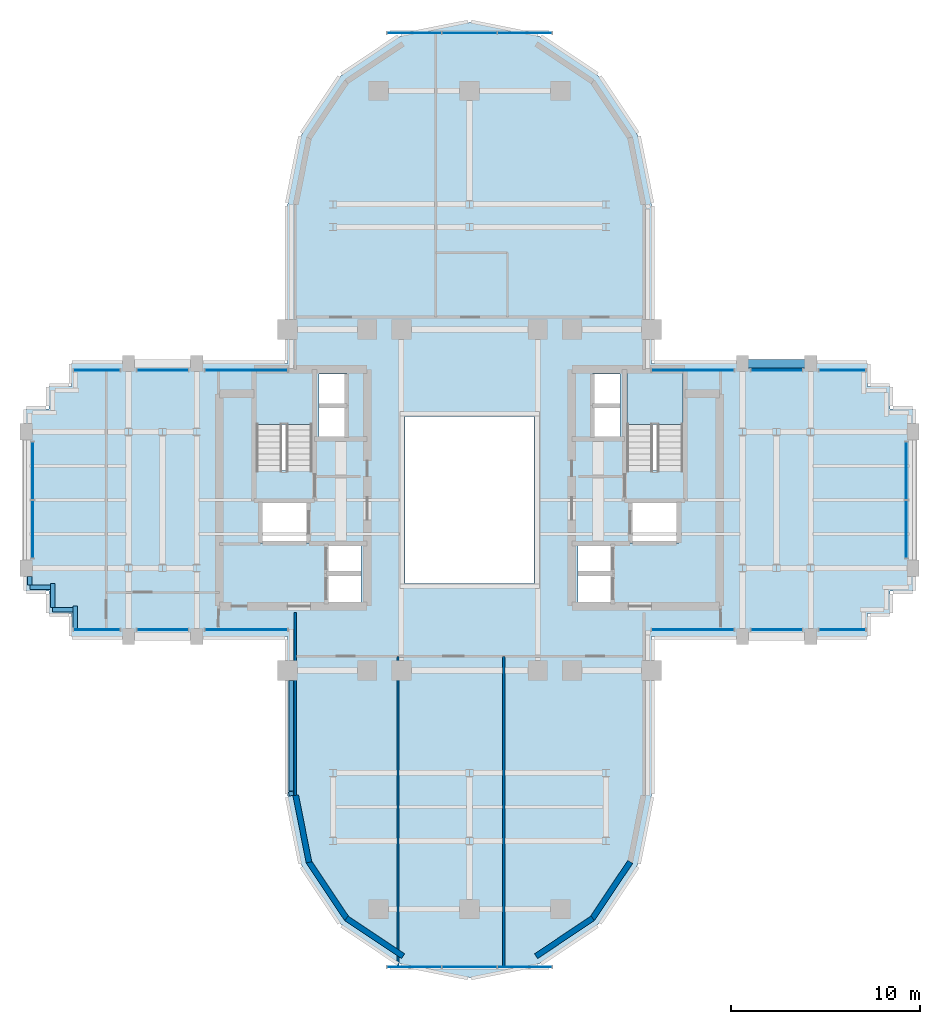
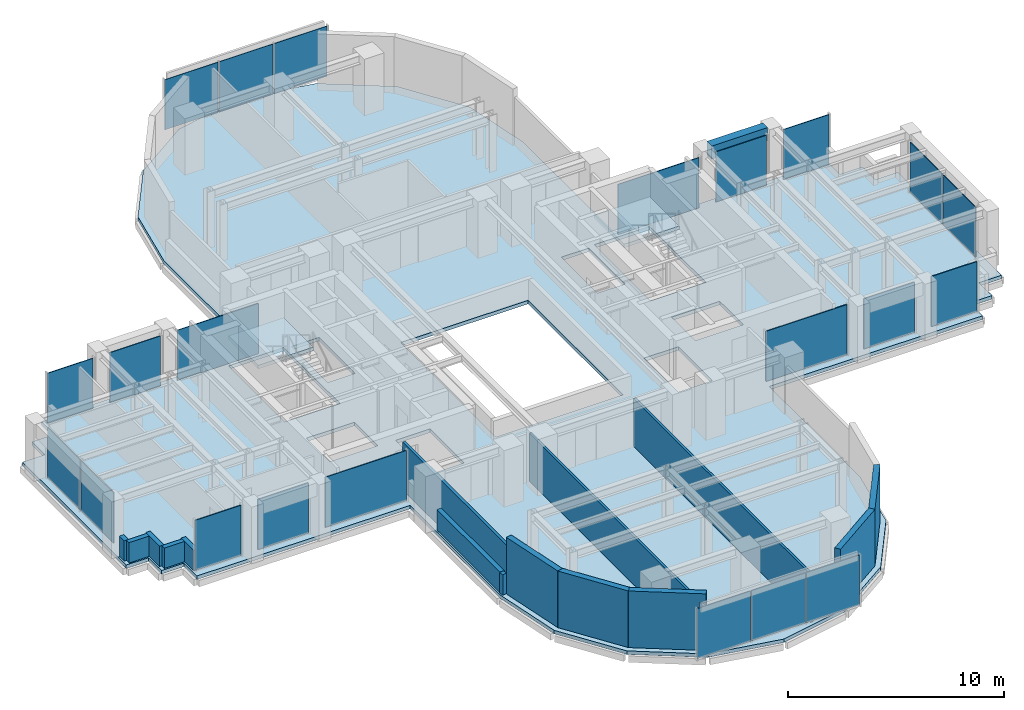
# One storey, part 7 of 13: 22 plates, 15 walls, 3 slabs, 1 beam, 18 elements without a shape of their own.
"""IFC4 building model written with IfcOpenShell, lengths in metres."""

import ifcopenshell
import ifcopenshell.guid

model = None  # the IFC model being written
_history = None  # IfcOwnerHistory: only IFC2X3 demands one
_inside = {}  # id of a spatial element -> (the spatial element, [elements in it])
_under = {}  # id of a project, library or spatial element -> (it, [spatial elements below it])
_declared = {}  # id of a project -> (the project, [libraries it declares])
_typed = {}  # id of a type object -> (the type object, [elements of that type])
_made_of = {}  # id of a material, layer set ... -> (it, [elements and type objects made of it])


def new_model(schema):
    """Start an empty IFC model of exactly this schema.

    Asked for "IFC4X3", IfcOpenShell would pick the latest addendum, in which some entities
    have other attributes; the version numbers below select the first issue.
    IFC2X3 requires an IfcOwnerHistory on every rooted entity: one is made here for all.
    """
    global model, _history
    if schema == "IFC4X3":
        model = ifcopenshell.file(schema_version=(4, 3, 0, 0))
    else:
        model = ifcopenshell.file(schema=schema)
    _inside.clear()
    _under.clear()
    _declared.clear()
    _typed.clear()
    _made_of.clear()
    _history = None
    if model.schema == "IFC2X3":
        org = make("IfcOrganization", Name="unknown")
        user = make(
            "IfcPersonAndOrganization",
            ThePerson=make("IfcPerson", FamilyName="unknown"),
            TheOrganization=org,
        )
        app = make(
            "IfcApplication",
            ApplicationDeveloper=org,
            Version="unknown",
            ApplicationFullName="unknown",
            ApplicationIdentifier="unknown",
        )
        _history = make(
            "IfcOwnerHistory",
            OwningUser=user,
            OwningApplication=app,
            ChangeAction="ADDED",
            CreationDate=0,
        )
    return model


def make(cls, **values):
    """One entity of the class cls with the attributes given. An attribute that is None is left unset."""
    return model.create_entity(
        cls, **{name: value for name, value in values.items() if value is not None}
    )


def rooted(cls, **values):
    """An entity with a GlobalId (a new one), such as an element, a storey or a relation."""
    return make(cls, GlobalId=ifcopenshell.guid.new(), OwnerHistory=_history, **values)


def si_unit(unit_type, name, prefix=None):
    """IfcSIUnit, for example si_unit("LENGTHUNIT", "METRE", prefix="MILLI")."""
    return make("IfcSIUnit", UnitType=unit_type, Prefix=prefix, Name=name)


def assignment(units):
    """IfcUnitAssignment: the units of a project."""
    return None if units is None else make("IfcUnitAssignment", Units=units)


def point(xyz):
    """IfcCartesianPoint."""
    return None if xyz is None else make("IfcCartesianPoint", Coordinates=xyz)


def direction(xyz):
    """IfcDirection."""
    return None if xyz is None else make("IfcDirection", DirectionRatios=xyz)


def frame(location, z_axis=None, x_axis=None):
    """IfcAxis2Placement3D, a coordinate frame: its origin and axes. An axis left out is left unset."""
    return make(
        "IfcAxis2Placement3D",
        Location=point(location),
        Axis=direction(z_axis),
        RefDirection=direction(x_axis),
    )


def frame_2d(location, x_axis=None):
    """IfcAxis2Placement2D, a coordinate frame in the plane: its origin and x axis."""
    return make(
        "IfcAxis2Placement2D", Location=point(location), RefDirection=direction(x_axis)
    )


def origin():
    """The frame at (0, 0, 0) with its axes left unset."""
    return frame((0.0, 0.0, 0.0))


def origin_2d():
    """The frame at (0, 0) in the plane with its x axis left unset."""
    return frame_2d((0.0, 0.0))


def place(relative_to, where):
    """IfcLocalPlacement: puts the frame where relative to a parent placement (None: the world)."""
    return make(
        "IfcLocalPlacement", PlacementRelTo=relative_to, RelativePlacement=where
    )


def context(
    kind, dimensions, precision=None, world=None, true_north=None, identifier=None
):
    """IfcGeometricRepresentationContext, for example the 3D "Model" context."""
    return make(
        "IfcGeometricRepresentationContext",
        ContextIdentifier=identifier,
        ContextType=kind,
        CoordinateSpaceDimension=dimensions,
        Precision=precision,
        WorldCoordinateSystem=world,
        TrueNorth=true_north,
    )


def subcontext(parent, identifier, kind, view, scale=None):
    """IfcGeometricRepresentationSubContext, for example "Body" below "Model"."""
    return make(
        "IfcGeometricRepresentationSubContext",
        ContextIdentifier=identifier,
        ContextType=kind,
        ParentContext=parent,
        TargetScale=scale,
        TargetView=view,
    )


def project(units=None, contexts=None):
    """IfcProject with its units and contexts."""
    return rooted(
        "IfcProject",
        Name="project",
        RepresentationContexts=contexts,
        UnitsInContext=assignment(units),
    )


def spatial(cls, under=None, at=None, **own):
    """A site, building, storey or space (cls), placed at a placement, below another one or the project."""
    s = rooted(cls, ObjectPlacement=at, **own)
    if under is not None:
        _under.setdefault(under.id(), (under, []))[1].append(s)
    return s


def polyline(points):
    """IfcPolyline through the points."""
    return make("IfcPolyline", Points=[point(p) for p in points])


def profile(cls, at=None, kind="AREA", **sizes):
    """A parametric profile (cls). Its sizes go by their IFC names, for example OverallWidth=200.0."""
    return make(cls, ProfileType=kind, Position=at, **sizes)


def rectangle(**sizes):
    """IfcRectangleProfileDef."""
    return profile("IfcRectangleProfileDef", **sizes)


def outline(outer, holes=None, kind="AREA"):
    """IfcArbitraryClosedProfileDef: a profile drawn as a closed curve; with holes, ...WithVoids."""
    if holes is None:
        return make("IfcArbitraryClosedProfileDef", ProfileType=kind, OuterCurve=outer)
    return make(
        "IfcArbitraryProfileDefWithVoids",
        ProfileType=kind,
        OuterCurve=outer,
        InnerCurves=holes,
    )


def extrude(swept, where, along, depth):
    """IfcExtrudedAreaSolid: the profile swept, set in the frame where, extruded along a direction by depth."""
    return make(
        "IfcExtrudedAreaSolid",
        SweptArea=swept,
        Position=where,
        ExtrudedDirection=direction(along),
        Depth=depth,
    )


def shape(context_of_items, identifier, shape_type, items):
    """IfcShapeRepresentation: the items that make up one representation, for example the "Body"."""
    return make(
        "IfcShapeRepresentation",
        ContextOfItems=context_of_items,
        RepresentationIdentifier=identifier,
        RepresentationType=shape_type,
        Items=items,
    )


def source(mapping_origin, context_of_items, identifier, shape_type, items):
    """IfcRepresentationMap: a shape defined once, which mapped items show again and again."""
    return make(
        "IfcRepresentationMap",
        MappingOrigin=mapping_origin,
        MappedRepresentation=shape(context_of_items, identifier, shape_type, items),
    )


def transform(
    local_origin,
    x_axis=None,
    y_axis=None,
    z_axis=None,
    scale=None,
    scale2=None,
    scale3=None,
    uniform=True,
):
    """IfcCartesianTransformationOperator3D, or its non-uniform kind. x_axis, y_axis, z_axis: its Axis1, 2, 3."""
    if uniform:
        return make(
            "IfcCartesianTransformationOperator3D",
            Axis1=direction(x_axis),
            Axis2=direction(y_axis),
            LocalOrigin=point(local_origin),
            Scale=scale,
            Axis3=direction(z_axis),
        )
    return make(
        "IfcCartesianTransformationOperator3DnonUniform",
        Axis1=direction(x_axis),
        Axis2=direction(y_axis),
        LocalOrigin=point(local_origin),
        Scale=scale,
        Axis3=direction(z_axis),
        Scale2=scale2,
        Scale3=scale3,
    )


def mapped(mapping_source, mapping_target):
    """IfcMappedItem: shows the shape of a source again, moved by a transform."""
    return make(
        "IfcMappedItem", MappingSource=mapping_source, MappingTarget=mapping_target
    )


def material(Name=None, Category=None):
    """IfcMaterial."""
    return make("IfcMaterial", Name=Name, Category=Category)


def layer(
    of_material, thickness, ventilated=None, Name=None, Category=None, Priority=None
):
    """IfcMaterialLayer: one layer of a wall or slab, of a material (None: an air gap)."""
    return make(
        "IfcMaterialLayer",
        Material=of_material,
        LayerThickness=thickness,
        IsVentilated=ventilated,
        Name=Name,
        Category=Category,
        Priority=Priority,
    )


def layer_set(layers, Name=None):
    """IfcMaterialLayerSet."""
    return make("IfcMaterialLayerSet", MaterialLayers=layers, LayerSetName=Name)


def material_profile(
    of_material, cross_section, Name=None, Category=None, Priority=None
):
    """IfcMaterialProfile: a cross section and its material."""
    return make(
        "IfcMaterialProfile",
        Name=Name,
        Material=of_material,
        Profile=cross_section,
        Priority=Priority,
        Category=Category,
    )


def profile_set(profiles, Name=None, composite=None):
    """IfcMaterialProfileSet."""
    return make(
        "IfcMaterialProfileSet",
        Name=Name,
        MaterialProfiles=profiles,
        CompositeProfile=composite,
    )


def made_of(thing, what):
    """Note that an element or type object is made of a material, layer set ...; save() writes the relation."""
    if what is not None:
        _made_of.setdefault(what.id(), (what, []))[1].append(thing)
    return thing


def type_object(cls, material=None, **own):
    """A type object (cls), such as IfcWallType, which elements share."""
    return made_of(rooted(cls, **own), material)


def element(
    cls,
    number,
    at=None,
    inside=None,
    cuts=None,
    type_object=None,
    material=None,
    context=None,
    identifier="Body",
    shape_type=None,
    held_by="IfcProductDefinitionShape",
    body=None,
    shapes=None,
    **own,
):
    """One element of the class cls, such as IfcWall. Its Tag is "e" and its number.

    at: its placement. inside: the storey or other place that contains it. cuts: it is an
    opening in that element (IfcRelVoidsElement). A single representation is given by context,
    identifier, shape_type and body (its items); several are given by shapes. held_by: the class
    of the entity that holds the representations. save() writes the other relations.
    """
    e = rooted(cls, Tag="e%d" % number, ObjectPlacement=at, **own)
    if body is not None:
        shapes = [shape(context, identifier, shape_type, body)]
    if shapes is not None:
        e.Representation = make(held_by, Representations=shapes)
    if inside is not None:
        _inside.setdefault(inside.id(), (inside, []))[1].append(e)
    if cuts is not None:
        rooted(
            "IfcRelVoidsElement", RelatingBuildingElement=cuts, RelatedOpeningElement=e
        )
    if type_object is not None:
        _typed.setdefault(type_object.id(), (type_object, []))[1].append(e)
    return made_of(e, material)


def aggregate(whole, parts):
    """IfcRelAggregates: a whole, such as a stair, and the parts it consists of."""
    return rooted("IfcRelAggregates", RelatingObject=whole, RelatedObjects=parts)


def save(model, path):
    """Write the relations noted so far, then the file.

    IfcRelAggregates (storeys below a building ...), IfcRelContainedInSpatialStructure (elements
    in a storey), IfcRelDefinesByType, IfcRelAssociatesMaterial and IfcRelDeclares: one each for
    every whole, place, type object, material and project.
    """
    for whole, parts in _under.values():
        aggregate(whole, parts)
    for where, things in _inside.values():
        rooted(
            "IfcRelContainedInSpatialStructure",
            RelatedElements=things,
            RelatingStructure=where,
        )
    for kind, things in _typed.values():
        rooted("IfcRelDefinesByType", RelatedObjects=things, RelatingType=kind)
    for what, things in _made_of.values():
        rooted("IfcRelAssociatesMaterial", RelatedObjects=things, RelatingMaterial=what)
    for by, libraries in _declared.values():
        rooted("IfcRelDeclares", RelatingContext=by, RelatedDefinitions=libraries)
    model.write(path)


model = new_model("IFC4")

# Units and contexts
model_context = context("Model", 3, precision=1e-05, world=origin(), true_north=direction((0.0, 1.0)))
body_context = subcontext(model_context, "Body", "Model", "MODEL_VIEW")
ifc_project = project(units=[si_unit("LENGTHUNIT", "METRE"), si_unit("AREAUNIT", "SQUARE_METRE"), si_unit("VOLUMEUNIT", "CUBIC_METRE"), si_unit("PLANEANGLEUNIT", "RADIAN"), si_unit("MASSUNIT", "GRAM", prefix="KILO")], contexts=[model_context])

# Site, building, storey
site_placement = place(None, origin())
site = spatial("IfcSite", under=ifc_project, at=site_placement, CompositionType="ELEMENT")
building_placement = place(site_placement, origin())
building = spatial("IfcBuilding", under=site, at=building_placement, Name="Keilestroom Media Tower", CompositionType="ELEMENT")
storey_placement = place(building_placement, frame((0.0, 0.0, 144.800048828125)))
storey = spatial("IfcBuildingStorey", under=building, at=storey_placement, Name="L39", CompositionType="ELEMENT", Elevation=144.800048828125)

# Beam
ifc_material_1 = material(Name="Precast concrete C40/50", Category="concrete")
ifc_material_profile = material_profile(ifc_material_1, rectangle(XDim=0.449951171875, YDim=0.75, at=origin_2d()), Name="PC 450x750")
ifc_profile_set = profile_set([ifc_material_profile], Name="Precast concrete C40/50")
beam_type = type_object("IfcBeamType", Name="Perimeter-Spandrel-Beam-PC-450x750", PredefinedType="SPANDREL", material=ifc_profile_set)
shared_shape_1 = source(origin(), body_context, "Body", "SweptSolid", [
    extrude(rectangle(XDim=0.449951171875, YDim=0.75, at=origin_2d()), origin(), (0.0, 0.0, 1.0), 2.989990234375),
])
beam_placement = place(storey_placement, frame((14.705078125, 7.199951171875, 2.824951171875), z_axis=(1.0, 0.0, 0.0), x_axis=(0.0, 1.0, 0.0)))
element("IfcBeam", 1, at=beam_placement, inside=storey, type_object=beam_type, Name="L39 Beam SPB-1 BM-L39-EW-027", PredefinedType="SPANDREL", context=body_context, shape_type="MappedRepresentation", body=[
    mapped(shared_shape_1, transform((0.0, 0.0, 0.0), x_axis=(1.0, 0.0, 0.0), y_axis=(0.0, 1.0, 0.0), z_axis=(0.0, 0.0, 1.0), scale=1.0)),
])

# Slab
ifc_material_2 = material(Name="Concrete C50/60", Category="concrete")
ifc_layer_1 = layer(ifc_material_2, 0.199951171875)
ifc_layer_set_1 = layer_set([ifc_layer_1], Name="Concrete C50/60")
slab_type_1 = type_object("IfcSlabType", Name="Composite-Floor-Slab-200", PredefinedType="FLOOR", material=ifc_layer_set_1)
slab_1_placement = place(storey_placement, frame((0.0, 0.0, -0.199951171875)))
element("IfcSlab", 2, at=slab_1_placement, inside=storey, type_object=slab_type_1, Name="L39 Structural Composite Floor Slab", PredefinedType="FLOOR", context=body_context, shape_type="SweptSolid", body=[
    extrude(outline(polyline([(23.39990234375, -4.800048828125), (23.39990234375, 4.800048828125), (22.199951171875, 4.800048828125), (22.199951171875, 6.0), (21.0, 6.0), (21.0, 7.199951171875), (9.60009765625, 7.199951171875), (9.60009765625, 9.60009765625), (9.60009765625, 15.60009765625), (8.869140625, 19.273681640625), (6.7880859375, 22.38818359375), (3.673828125, 24.46923828125), (0.0, 25.199951171875), (-3.673828125, 24.46923828125), (-6.7880859375, 22.38818359375), (-8.869140625, 19.273681640625), (-9.60009765625, 15.60009765625), (-9.60009765625, 9.60009765625), (-9.60009765625, 7.199951171875), (-21.0, 7.199951171875), (-21.0, 6.0), (-22.199951171875, 6.0), (-22.199951171875, 4.800048828125), (-23.39990234375, 4.800048828125), (-23.39990234375, -4.800048828125), (-22.199951171875, -4.800048828125), (-22.199951171875, -6.0), (-21.0, -6.0), (-21.0, -7.199951171875), (-9.60009765625, -7.199951171875), (-9.60009765625, -9.60009765625), (-9.60009765625, -15.60009765625), (-8.869140625, -19.273681640625), (-6.7880859375, -22.38818359375), (-3.673828125, -24.46923828125), (0.0, -25.199951171875), (3.673828125, -24.46923828125), (6.7880859375, -22.38818359375), (8.869140625, -19.273681640625), (9.60009765625, -15.60009765625), (9.60009765625, -9.60009765625), (9.60009765625, -7.199951171875), (21.0, -7.199951171875), (21.0, -6.0), (22.199951171875, -6.0), (22.199951171875, -4.800048828125), (23.39990234375, -4.800048828125)]), holes=[polyline([(-11.260009765625, 1.544921875), (-11.260009765625, 6.760009765625), (-8.300048828125, 6.760009765625), (-8.300048828125, 1.544921875), (-11.260009765625, 1.544921875)]), polyline([(-11.050048828125, -2.280029296875), (-11.050048828125, -0.10009765625), (-8.47998046875, -0.10009765625), (-8.47998046875, -2.280029296875), (-11.050048828125, -2.280029296875)]), polyline([(-7.949951171875, 3.300048828125), (-7.949951171875, 6.64990234375), (-6.47998046875, 6.64990234375), (-6.47998046875, 3.300048828125), (-7.949951171875, 3.300048828125)]), polyline([(-7.56005859375, -2.320068359375), (-5.719970703125, -2.320068359375), (-5.719970703125, -5.47998046875), (-7.56005859375, -5.47998046875), (-7.56005859375, -2.320068359375)]), polyline([(3.39990234375, -4.39990234375), (-3.39990234375, -4.39990234375), (-3.39990234375, 4.39990234375), (3.39990234375, 4.39990234375), (3.39990234375, -4.39990234375)]), polyline([(7.56005859375, -2.320068359375), (7.56005859375, -5.47998046875), (5.719970703125, -5.47998046875), (5.719970703125, -2.320068359375), (7.56005859375, -2.320068359375)]), polyline([(6.47998046875, 3.300048828125), (6.47998046875, 6.64990234375), (7.949951171875, 6.64990234375), (7.949951171875, 3.300048828125), (6.47998046875, 3.300048828125)]), polyline([(8.300048828125, 1.544921875), (8.300048828125, 6.760009765625), (11.260009765625, 6.760009765625), (11.260009765625, 1.544921875), (8.300048828125, 1.544921875)]), polyline([(8.47998046875, -2.280029296875), (8.47998046875, -0.10009765625), (11.050048828125, -0.10009765625), (11.050048828125, -2.280029296875), (8.47998046875, -2.280029296875)])]), origin(), (0.0, 0.0, 1.0), 0.199951171875),
])

# Stair, slab
ifc_material_3 = material(Name="Concrete C45/55", Category="concrete")
stair_type = type_object("IfcStairType", Name="Enclosed-Dog-Leg-Stair-ST-CORE", PredefinedType="HALF_TURN_STAIR", material=ifc_material_3)
stair_1_placement = place(storey_placement, origin())
stair_1 = element("IfcStair", 3, at=stair_1_placement, inside=storey, type_object=stair_type, Name="L39 West Core Escape Stair ST-1", PredefinedType="HALF_TURN_STAIR")
ifc_layer_2 = layer(ifc_material_3, 0.199951171875)
ifc_layer_set_2 = layer_set([ifc_layer_2], Name="Concrete C45/55")
slab_type_2 = type_object("IfcSlabType", Name="Stair-Intermediate-And-Top-Landing-Slab-200", PredefinedType="LANDING", material=ifc_layer_set_2)
slab_2_placement = place(storey_placement, frame((0.0, 0.0, 1.5)))
slab_2 = element("IfcSlab", 4, at=slab_2_placement, type_object=slab_type_2, Name="ST-1 landing 1", PredefinedType="LANDING", context=body_context, shape_type="SweptSolid", body=[
    extrude(outline(polyline([(-8.300048828125, 3.99609375), (-8.300048828125, 6.760009765625), (-11.260009765625, 6.760009765625), (-11.260009765625, 3.99609375), (-8.300048828125, 3.99609375)])), origin(), (0.0, 0.0, 1.0), 0.199951171875),
])
aggregate(stair_1, [slab_2])

stair_2_placement = place(storey_placement, origin())
stair_2 = element("IfcStair", 5, at=stair_2_placement, inside=storey, type_object=stair_type, Name="L39 East Core Escape Stair ST-2", PredefinedType="HALF_TURN_STAIR")
slab_3_placement = place(storey_placement, frame((0.0, 0.0, 1.5)))
slab_3 = element("IfcSlab", 6, at=slab_3_placement, type_object=slab_type_2, Name="ST-2 landing 1", PredefinedType="LANDING", context=body_context, shape_type="SweptSolid", body=[
    extrude(outline(polyline([(11.260009765625, 3.99609375), (11.260009765625, 6.760009765625), (8.300048828125, 6.760009765625), (8.300048828125, 3.99609375), (11.260009765625, 3.99609375)])), origin(), (0.0, 0.0, 1.0), 0.199951171875),
])
aggregate(stair_2, [slab_3])

# Curtain wall, plates
ifc_material_4 = material(Name="Anodised Aluminium Alloy", Category="aluminium")
curtain_wall_type_1 = type_object("IfcCurtainWallType", Name="Unitised-Curtain-Wall-CW-6", PredefinedType="NOTDEFINED", material=ifc_material_4)
curtain_wall_1_placement = place(storey_placement, origin())
curtain_wall_1 = element("IfcCurtainWall", 7, at=curtain_wall_1_placement, inside=storey, type_object=curtain_wall_type_1, Name="L39 Curtain Wall CW-6 CW-L39-LN-1", PredefinedType="NOTDEFINED")
ifc_material_5 = material(Name="Curved-Facet Triple Glazed Unit", Category="glass")
ifc_layer_3 = layer(ifc_material_5, 0.033935546875)
ifc_layer_set_3 = layer_set([ifc_layer_3], Name="Curved-Facet Triple Glazed Unit")
plate_type_1 = type_object("IfcPlateType", Name="Insulated-Curtain-Wall-Glazing-Panel-CW-6", PredefinedType="CURTAIN_PANEL", material=ifc_layer_set_3)
shared_shape_2 = source(origin(), body_context, "Body", "SweptSolid", [
    extrude(rectangle(XDim=2.84375, YDim=0.033935546875, at=origin_2d()), origin(), (0.0, 0.0, 1.0), 2.833984375),
])
plate_1_placement = place(storey_placement, frame((-2.9169921875, 24.64990234375, 0.072998046875), z_axis=(0.0, 0.0, 1.0), x_axis=(1.0, 0.0, 0.0)))
plate_1 = element("IfcPlate", 8, at=plate_1_placement, type_object=plate_type_1, Name="CW-6 Unitised Glazing 00", PredefinedType="CURTAIN_PANEL", context=body_context, shape_type="MappedRepresentation", body=[
    mapped(shared_shape_2, transform((0.0, 0.0, 0.0), x_axis=(1.0, 0.0, 0.0), y_axis=(0.0, 1.0, 0.0), z_axis=(0.0, 0.0, 1.0), scale=1.0)),
])
plate_2_placement = place(storey_placement, frame((2.9169921875, 24.64990234375, 0.072998046875), z_axis=(0.0, 0.0, 1.0), x_axis=(1.0, 0.0, 0.0)))
plate_2 = element("IfcPlate", 9, at=plate_2_placement, type_object=plate_type_1, Name="CW-6 Unitised Glazing 02", PredefinedType="CURTAIN_PANEL", context=body_context, shape_type="MappedRepresentation", body=[
    mapped(shared_shape_2, transform((0.0, 0.0, 0.0), x_axis=(1.0, 0.0, 0.0), y_axis=(0.0, 1.0, 0.0), z_axis=(0.0, 0.0, 1.0), scale=1.0)),
])

curtain_wall_2_placement = place(storey_placement, origin())
curtain_wall_2 = element("IfcCurtainWall", 10, at=curtain_wall_2_placement, inside=storey, type_object=curtain_wall_type_1, Name="L39 Curtain Wall CW-6 CW-L39-LS-1", PredefinedType="NOTDEFINED")
plate_3_placement = place(storey_placement, frame((-2.9169921875, -24.64990234375, 0.072998046875), z_axis=(0.0, 0.0, 1.0), x_axis=(1.0, 0.0, 0.0)))
plate_3 = element("IfcPlate", 11, at=plate_3_placement, type_object=plate_type_1, Name="CW-6 Unitised Glazing 00", PredefinedType="CURTAIN_PANEL", context=body_context, shape_type="MappedRepresentation", body=[
    mapped(shared_shape_2, transform((0.0, 0.0, 0.0), x_axis=(1.0, 0.0, 0.0), y_axis=(0.0, 1.0, 0.0), z_axis=(0.0, 0.0, 1.0), scale=1.0)),
])
plate_4_placement = place(storey_placement, frame((2.9169921875, -24.64990234375, 0.072998046875), z_axis=(0.0, 0.0, 1.0), x_axis=(1.0, 0.0, 0.0)))
plate_4 = element("IfcPlate", 12, at=plate_4_placement, type_object=plate_type_1, Name="CW-6 Unitised Glazing 02", PredefinedType="CURTAIN_PANEL", context=body_context, shape_type="MappedRepresentation", body=[
    mapped(shared_shape_2, transform((0.0, 0.0, 0.0), x_axis=(1.0, 0.0, 0.0), y_axis=(0.0, 1.0, 0.0), z_axis=(0.0, 0.0, 1.0), scale=1.0)),
])

# Plate
shared_shape_3 = source(origin(), body_context, "Body", "SweptSolid", [
    extrude(rectangle(XDim=2.876220703125, YDim=0.033935546875, at=origin_2d()), origin(), (0.0, 0.0, 1.0), 2.833984375),
])
plate_5_placement = place(storey_placement, frame((0.0, 24.64990234375, 0.072998046875), z_axis=(0.0, 0.0, 1.0), x_axis=(1.0, 0.0, 0.0)))
plate_5 = element("IfcPlate", 13, at=plate_5_placement, type_object=plate_type_1, Name="CW-6 Unitised Glazing 01", PredefinedType="CURTAIN_PANEL", context=body_context, shape_type="MappedRepresentation", body=[
    mapped(shared_shape_3, transform((0.0, 0.0, 0.0), x_axis=(1.0, 0.0, 0.0), y_axis=(0.0, 1.0, 0.0), z_axis=(0.0, 0.0, 1.0), scale=1.0)),
])

aggregate(curtain_wall_1, [plate_1, plate_5, plate_2])

plate_6_placement = place(storey_placement, frame((0.0, -24.64990234375, 0.072998046875), z_axis=(0.0, 0.0, 1.0), x_axis=(1.0, 0.0, 0.0)))
plate_6 = element("IfcPlate", 14, at=plate_6_placement, type_object=plate_type_1, Name="CW-6 Unitised Glazing 01", PredefinedType="CURTAIN_PANEL", context=body_context, shape_type="MappedRepresentation", body=[
    mapped(shared_shape_3, transform((0.0, 0.0, 0.0), x_axis=(1.0, 0.0, 0.0), y_axis=(0.0, 1.0, 0.0), z_axis=(0.0, 0.0, 1.0), scale=1.0)),
])

aggregate(curtain_wall_2, [plate_3, plate_6, plate_4])

# Curtain wall, plate
curtain_wall_type_2 = type_object("IfcCurtainWallType", Name="Unitised-Curtain-Wall-CW-2", PredefinedType="NOTDEFINED", material=ifc_material_4)
curtain_wall_3_placement = place(storey_placement, origin())
curtain_wall_3 = element("IfcCurtainWall", 15, at=curtain_wall_3_placement, inside=storey, type_object=curtain_wall_type_2, Name="L39 Curtain Wall CW-2 CW-L39-NW-1", PredefinedType="NOTDEFINED")
ifc_material_6 = material(Name="Double Glazed Low-E Unit", Category="glass")
ifc_layer_4 = layer(ifc_material_6, 0.0419921875)
ifc_layer_set_4 = layer_set([ifc_layer_4], Name="Double Glazed Low-E Unit")
plate_type_2 = type_object("IfcPlateType", Name="Insulated-Curtain-Wall-Glazing-Panel-CW-2", PredefinedType="CURTAIN_PANEL", material=ifc_layer_set_4)
shared_shape_4 = source(origin(), body_context, "Body", "SweptSolid", [
    extrude(rectangle(XDim=2.43310546875, YDim=0.0419921875, at=origin_2d()), origin(), (0.0, 0.0, 1.0), 2.833984375),
])
plate_7_placement = place(storey_placement, frame((-19.66748046875, 6.85009765625, 0.072998046875), z_axis=(0.0, 0.0, 1.0), x_axis=(1.0, 0.0, 0.0)))
plate_7 = element("IfcPlate", 16, at=plate_7_placement, type_object=plate_type_2, Name="CW-2 Unitised Glazing 00", PredefinedType="CURTAIN_PANEL", context=body_context, shape_type="MappedRepresentation", body=[
    mapped(shared_shape_4, transform((0.0, 0.0, 0.0), x_axis=(1.0, 0.0, 0.0), y_axis=(0.0, 1.0, 0.0), z_axis=(0.0, 0.0, 1.0), scale=1.0)),
])
aggregate(curtain_wall_3, [plate_7])

curtain_wall_4_placement = place(storey_placement, origin())
curtain_wall_4 = element("IfcCurtainWall", 17, at=curtain_wall_4_placement, inside=storey, type_object=curtain_wall_type_2, Name="L39 Curtain Wall CW-2 CW-L39-NE-3", PredefinedType="NOTDEFINED")
plate_8_placement = place(storey_placement, frame((19.66748046875, 6.85009765625, 0.072998046875), z_axis=(0.0, 0.0, 1.0), x_axis=(1.0, 0.0, 0.0)))
plate_8 = element("IfcPlate", 18, at=plate_8_placement, type_object=plate_type_2, Name="CW-2 Unitised Glazing 00", PredefinedType="CURTAIN_PANEL", context=body_context, shape_type="MappedRepresentation", body=[
    mapped(shared_shape_4, transform((0.0, 0.0, 0.0), x_axis=(1.0, 0.0, 0.0), y_axis=(0.0, 1.0, 0.0), z_axis=(0.0, 0.0, 1.0), scale=1.0)),
])
aggregate(curtain_wall_4, [plate_8])

curtain_wall_5_placement = place(storey_placement, origin())
curtain_wall_5 = element("IfcCurtainWall", 19, at=curtain_wall_5_placement, inside=storey, type_object=curtain_wall_type_2, Name="L39 Curtain Wall CW-2 CW-L39-SW-1", PredefinedType="NOTDEFINED")
plate_9_placement = place(storey_placement, frame((-19.66748046875, -6.85009765625, 0.072998046875), z_axis=(0.0, 0.0, 1.0), x_axis=(1.0, 0.0, 0.0)))
plate_9 = element("IfcPlate", 20, at=plate_9_placement, type_object=plate_type_2, Name="CW-2 Unitised Glazing 00", PredefinedType="CURTAIN_PANEL", context=body_context, shape_type="MappedRepresentation", body=[
    mapped(shared_shape_4, transform((0.0, 0.0, 0.0), x_axis=(1.0, 0.0, 0.0), y_axis=(0.0, 1.0, 0.0), z_axis=(0.0, 0.0, 1.0), scale=1.0)),
])
aggregate(curtain_wall_5, [plate_9])

curtain_wall_6_placement = place(storey_placement, origin())
curtain_wall_6 = element("IfcCurtainWall", 21, at=curtain_wall_6_placement, inside=storey, type_object=curtain_wall_type_2, Name="L39 Curtain Wall CW-2 CW-L39-SE-3", PredefinedType="NOTDEFINED")
plate_10_placement = place(storey_placement, frame((19.66748046875, -6.85009765625, 0.072998046875), z_axis=(0.0, 0.0, 1.0), x_axis=(1.0, 0.0, 0.0)))
plate_10 = element("IfcPlate", 22, at=plate_10_placement, type_object=plate_type_2, Name="CW-2 Unitised Glazing 00", PredefinedType="CURTAIN_PANEL", context=body_context, shape_type="MappedRepresentation", body=[
    mapped(shared_shape_4, transform((0.0, 0.0, 0.0), x_axis=(1.0, 0.0, 0.0), y_axis=(0.0, 1.0, 0.0), z_axis=(0.0, 0.0, 1.0), scale=1.0)),
])
aggregate(curtain_wall_6, [plate_10])

curtain_wall_7_placement = place(storey_placement, origin())
curtain_wall_7 = element("IfcCurtainWall", 23, at=curtain_wall_7_placement, inside=storey, type_object=curtain_wall_type_2, Name="L39 Curtain Wall CW-2 CW-L39-NW-2", PredefinedType="NOTDEFINED")
shared_shape_5 = source(origin(), body_context, "Body", "SweptSolid", [
    extrude(rectangle(XDim=2.697998046875, YDim=0.0419921875, at=origin_2d()), origin(), (0.0, 0.0, 1.0), 2.833984375),
])
plate_11_placement = place(storey_placement, frame((-16.199951171875, 6.85009765625, 0.072998046875), z_axis=(0.0, 0.0, 1.0), x_axis=(1.0, 0.0, 0.0)))
plate_11 = element("IfcPlate", 24, at=plate_11_placement, type_object=plate_type_2, Name="CW-2 Unitised Glazing 00", PredefinedType="CURTAIN_PANEL", context=body_context, shape_type="MappedRepresentation", body=[
    mapped(shared_shape_5, transform((0.0, 0.0, 0.0), x_axis=(1.0, 0.0, 0.0), y_axis=(0.0, 1.0, 0.0), z_axis=(0.0, 0.0, 1.0), scale=1.0)),
])
aggregate(curtain_wall_7, [plate_11])

curtain_wall_8_placement = place(storey_placement, origin())
curtain_wall_8 = element("IfcCurtainWall", 25, at=curtain_wall_8_placement, inside=storey, type_object=curtain_wall_type_2, Name="L39 Curtain Wall CW-2 CW-L39-NE-2", PredefinedType="NOTDEFINED")
plate_12_placement = place(storey_placement, frame((16.199951171875, 6.85009765625, 0.072998046875), z_axis=(0.0, 0.0, 1.0), x_axis=(1.0, 0.0, 0.0)))
plate_12 = element("IfcPlate", 26, at=plate_12_placement, type_object=plate_type_2, Name="CW-2 Unitised Glazing 00", PredefinedType="CURTAIN_PANEL", context=body_context, shape_type="MappedRepresentation", body=[
    mapped(shared_shape_5, transform((0.0, 0.0, 0.0), x_axis=(1.0, 0.0, 0.0), y_axis=(0.0, 1.0, 0.0), z_axis=(0.0, 0.0, 1.0), scale=1.0)),
])
aggregate(curtain_wall_8, [plate_12])

curtain_wall_9_placement = place(storey_placement, origin())
curtain_wall_9 = element("IfcCurtainWall", 27, at=curtain_wall_9_placement, inside=storey, type_object=curtain_wall_type_2, Name="L39 Curtain Wall CW-2 CW-L39-SW-2", PredefinedType="NOTDEFINED")
plate_13_placement = place(storey_placement, frame((-16.199951171875, -6.85009765625, 0.072998046875), z_axis=(0.0, 0.0, 1.0), x_axis=(1.0, 0.0, 0.0)))
plate_13 = element("IfcPlate", 28, at=plate_13_placement, type_object=plate_type_2, Name="CW-2 Unitised Glazing 00", PredefinedType="CURTAIN_PANEL", context=body_context, shape_type="MappedRepresentation", body=[
    mapped(shared_shape_5, transform((0.0, 0.0, 0.0), x_axis=(1.0, 0.0, 0.0), y_axis=(0.0, 1.0, 0.0), z_axis=(0.0, 0.0, 1.0), scale=1.0)),
])
aggregate(curtain_wall_9, [plate_13])

curtain_wall_10_placement = place(storey_placement, origin())
curtain_wall_10 = element("IfcCurtainWall", 29, at=curtain_wall_10_placement, inside=storey, type_object=curtain_wall_type_2, Name="L39 Curtain Wall CW-2 CW-L39-SE-2", PredefinedType="NOTDEFINED")
plate_14_placement = place(storey_placement, frame((16.199951171875, -6.85009765625, 0.072998046875), z_axis=(0.0, 0.0, 1.0), x_axis=(1.0, 0.0, 0.0)))
plate_14 = element("IfcPlate", 30, at=plate_14_placement, type_object=plate_type_2, Name="CW-2 Unitised Glazing 00", PredefinedType="CURTAIN_PANEL", context=body_context, shape_type="MappedRepresentation", body=[
    mapped(shared_shape_5, transform((0.0, 0.0, 0.0), x_axis=(1.0, 0.0, 0.0), y_axis=(0.0, 1.0, 0.0), z_axis=(0.0, 0.0, 1.0), scale=1.0)),
])
aggregate(curtain_wall_10, [plate_14])

curtain_wall_11_placement = place(storey_placement, origin())
curtain_wall_11 = element("IfcCurtainWall", 31, at=curtain_wall_11_placement, inside=storey, type_object=curtain_wall_type_2, Name="L39 Curtain Wall CW-2 CW-L39-NW-3", PredefinedType="NOTDEFINED")
shared_shape_6 = source(origin(), body_context, "Body", "SweptSolid", [
    extrude(rectangle(XDim=4.3330078125, YDim=0.0419921875, at=origin_2d()), origin(), (0.0, 0.0, 1.0), 2.833984375),
])
plate_15_placement = place(storey_placement, frame((-11.782470703125, 6.85009765625, 0.072998046875), z_axis=(0.0, 0.0, 1.0), x_axis=(1.0, 0.0, 0.0)))
plate_15 = element("IfcPlate", 32, at=plate_15_placement, type_object=plate_type_2, Name="CW-2 Unitised Glazing 00", PredefinedType="CURTAIN_PANEL", context=body_context, shape_type="MappedRepresentation", body=[
    mapped(shared_shape_6, transform((0.0, 0.0, 0.0), x_axis=(1.0, 0.0, 0.0), y_axis=(0.0, 1.0, 0.0), z_axis=(0.0, 0.0, 1.0), scale=1.0)),
])
aggregate(curtain_wall_11, [plate_15])

curtain_wall_12_placement = place(storey_placement, origin())
curtain_wall_12 = element("IfcCurtainWall", 33, at=curtain_wall_12_placement, inside=storey, type_object=curtain_wall_type_2, Name="L39 Curtain Wall CW-2 CW-L39-NE-1", PredefinedType="NOTDEFINED")
plate_16_placement = place(storey_placement, frame((11.782470703125, 6.85009765625, 0.072998046875), z_axis=(0.0, 0.0, 1.0), x_axis=(1.0, 0.0, 0.0)))
plate_16 = element("IfcPlate", 34, at=plate_16_placement, type_object=plate_type_2, Name="CW-2 Unitised Glazing 00", PredefinedType="CURTAIN_PANEL", context=body_context, shape_type="MappedRepresentation", body=[
    mapped(shared_shape_6, transform((0.0, 0.0, 0.0), x_axis=(1.0, 0.0, 0.0), y_axis=(0.0, 1.0, 0.0), z_axis=(0.0, 0.0, 1.0), scale=1.0)),
])
aggregate(curtain_wall_12, [plate_16])

curtain_wall_13_placement = place(storey_placement, origin())
curtain_wall_13 = element("IfcCurtainWall", 35, at=curtain_wall_13_placement, inside=storey, type_object=curtain_wall_type_2, Name="L39 Curtain Wall CW-2 CW-L39-SW-3", PredefinedType="NOTDEFINED")
plate_17_placement = place(storey_placement, frame((-11.782470703125, -6.85009765625, 0.072998046875), z_axis=(0.0, 0.0, 1.0), x_axis=(1.0, 0.0, 0.0)))
plate_17 = element("IfcPlate", 36, at=plate_17_placement, type_object=plate_type_2, Name="CW-2 Unitised Glazing 00", PredefinedType="CURTAIN_PANEL", context=body_context, shape_type="MappedRepresentation", body=[
    mapped(shared_shape_6, transform((0.0, 0.0, 0.0), x_axis=(1.0, 0.0, 0.0), y_axis=(0.0, 1.0, 0.0), z_axis=(0.0, 0.0, 1.0), scale=1.0)),
])
aggregate(curtain_wall_13, [plate_17])

curtain_wall_14_placement = place(storey_placement, origin())
curtain_wall_14 = element("IfcCurtainWall", 37, at=curtain_wall_14_placement, inside=storey, type_object=curtain_wall_type_2, Name="L39 Curtain Wall CW-2 CW-L39-SE-1", PredefinedType="NOTDEFINED")
plate_18_placement = place(storey_placement, frame((11.782470703125, -6.85009765625, 0.072998046875), z_axis=(0.0, 0.0, 1.0), x_axis=(1.0, 0.0, 0.0)))
plate_18 = element("IfcPlate", 38, at=plate_18_placement, type_object=plate_type_2, Name="CW-2 Unitised Glazing 00", PredefinedType="CURTAIN_PANEL", context=body_context, shape_type="MappedRepresentation", body=[
    mapped(shared_shape_6, transform((0.0, 0.0, 0.0), x_axis=(1.0, 0.0, 0.0), y_axis=(0.0, 1.0, 0.0), z_axis=(0.0, 0.0, 1.0), scale=1.0)),
])
aggregate(curtain_wall_14, [plate_18])

# Curtain wall, plates
curtain_wall_15_placement = place(storey_placement, origin())
curtain_wall_15 = element("IfcCurtainWall", 39, at=curtain_wall_15_placement, inside=storey, type_object=curtain_wall_type_2, Name="L39 Curtain Wall CW-2 CW-L39-W-1", PredefinedType="NOTDEFINED")
shared_shape_7 = source(origin(), body_context, "Body", "SweptSolid", [
    extrude(rectangle(XDim=3.01806640625, YDim=0.0419921875, at=origin_2d()), origin(), (0.0, 0.0, 1.0), 2.833984375),
])
plate_19_placement = place(storey_placement, frame((-23.050048828125, -1.5400390625, 0.072998046875), z_axis=(0.0, 0.0, 1.0), x_axis=(0.0, 1.0, 0.0)))
plate_19 = element("IfcPlate", 40, at=plate_19_placement, type_object=plate_type_2, Name="CW-2 Unitised Glazing 00", PredefinedType="CURTAIN_PANEL", context=body_context, shape_type="MappedRepresentation", body=[
    mapped(shared_shape_7, transform((0.0, 0.0, 0.0), x_axis=(1.0, 0.0, 0.0), y_axis=(0.0, 1.0, 0.0), z_axis=(0.0, 0.0, 1.0), scale=1.0)),
])
plate_20_placement = place(storey_placement, frame((-23.050048828125, 1.5400390625, 0.072998046875), z_axis=(0.0, 0.0, 1.0), x_axis=(0.0, 1.0, 0.0)))
plate_20 = element("IfcPlate", 41, at=plate_20_placement, type_object=plate_type_2, Name="CW-2 Unitised Glazing 01", PredefinedType="CURTAIN_PANEL", context=body_context, shape_type="MappedRepresentation", body=[
    mapped(shared_shape_7, transform((0.0, 0.0, 0.0), x_axis=(1.0, 0.0, 0.0), y_axis=(0.0, 1.0, 0.0), z_axis=(0.0, 0.0, 1.0), scale=1.0)),
])
aggregate(curtain_wall_15, [plate_19, plate_20])

curtain_wall_16_placement = place(storey_placement, origin())
curtain_wall_16 = element("IfcCurtainWall", 42, at=curtain_wall_16_placement, inside=storey, type_object=curtain_wall_type_2, Name="L39 Curtain Wall CW-2 CW-L39-E-1", PredefinedType="NOTDEFINED")
plate_21_placement = place(storey_placement, frame((23.050048828125, -1.5400390625, 0.072998046875), z_axis=(0.0, 0.0, 1.0), x_axis=(0.0, 1.0, 0.0)))
plate_21 = element("IfcPlate", 43, at=plate_21_placement, type_object=plate_type_2, Name="CW-2 Unitised Glazing 00", PredefinedType="CURTAIN_PANEL", context=body_context, shape_type="MappedRepresentation", body=[
    mapped(shared_shape_7, transform((0.0, 0.0, 0.0), x_axis=(1.0, 0.0, 0.0), y_axis=(0.0, 1.0, 0.0), z_axis=(0.0, 0.0, 1.0), scale=1.0)),
])
plate_22_placement = place(storey_placement, frame((23.050048828125, 1.5400390625, 0.072998046875), z_axis=(0.0, 0.0, 1.0), x_axis=(0.0, 1.0, 0.0)))
plate_22 = element("IfcPlate", 44, at=plate_22_placement, type_object=plate_type_2, Name="CW-2 Unitised Glazing 01", PredefinedType="CURTAIN_PANEL", context=body_context, shape_type="MappedRepresentation", body=[
    mapped(shared_shape_7, transform((0.0, 0.0, 0.0), x_axis=(1.0, 0.0, 0.0), y_axis=(0.0, 1.0, 0.0), z_axis=(0.0, 0.0, 1.0), scale=1.0)),
])
aggregate(curtain_wall_16, [plate_21, plate_22])

# Walls
ifc_layer_5 = layer(ifc_material_1, 0.300048828125)
ifc_layer_set_5 = layer_set([ifc_layer_5], Name="Precast concrete C40/50")
wall_type_1 = type_object("IfcWallType", Name="Exterior-Masonry-Spandrel-Wall-300", PredefinedType="SOLIDWALL", material=ifc_layer_set_5)
for number, where, z_axis, x_axis, name in (
    (45, (-9.1748046875, -15.585205078125, 0.0), (0.0, 0.0, 1.0), (0.195114232679, -0.980780523974, 0.0), "L39 Lobe Facet Precast Frame Wall 07"),
    (46, (-8.48193359375, -19.097412109375, 0.0), (0.0, 0.0, 1.0), (0.555574187116, -0.831466970246, 0.0), "L39 Lobe Facet Precast Frame Wall 08"),
):
    element("IfcWall", number, at=place(storey_placement, frame(where, z_axis=z_axis, x_axis=x_axis)), inside=storey, type_object=wall_type_1, Name=name, PredefinedType="SOLIDWALL", context=body_context, shape_type="SweptSolid", body=[
        extrude(rectangle(XDim=3.608642578125, YDim=0.300048828125, at=frame_2d((1.80419921875, 0.0))), origin(), (0.0, 0.0, 1.0), 3.199951171875),
    ])
for number, where, z_axis, x_axis, name in (
    (47, (-6.497802734375, -22.0771484375, 0.0), (0.0, 0.0, 1.0), (0.8314749531, -0.555562239868, 0.0), "L39 Lobe Facet Precast Frame Wall 09"),
    (48, (3.510009765625, -24.073486328125, 0.0), (0.0, 0.0, 1.0), (0.8314749531, 0.555562239868, 0.0), "L39 Lobe Facet Precast Frame Wall 10"),
):
    element("IfcWall", number, at=place(storey_placement, frame(where, z_axis=z_axis, x_axis=x_axis)), inside=storey, type_object=wall_type_1, Name=name, PredefinedType="SOLIDWALL", context=body_context, shape_type="SweptSolid", body=[
        extrude(rectangle(XDim=3.59326171875, YDim=0.300048828125, at=frame_2d((1.796630859375, 0.0))), origin(), (0.0, 0.0, 1.0), 3.199951171875),
    ])
wall_1_placement = place(storey_placement, frame((6.47705078125, -22.097900390625, 0.0), z_axis=(0.0, 0.0, 1.0), x_axis=(0.555574187116, 0.831466970246, 0.0)))
element("IfcWall", 49, at=wall_1_placement, inside=storey, type_object=wall_type_1, Name="L39 Lobe Facet Precast Frame Wall 11", PredefinedType="SOLIDWALL", context=body_context, shape_type="SweptSolid", body=[
    extrude(rectangle(XDim=3.608642578125, YDim=0.300048828125, at=frame_2d((1.80419921875, 0.0))), origin(), (0.0, 0.0, 1.0), 3.199951171875),
])
ifc_material_7 = material(Name="Gypsum Plasterboard & Steel Stud", Category="steel")
ifc_layer_6 = layer(ifc_material_7, 0.1201171875)
ifc_layer_set_6 = layer_set([ifc_layer_6], Name="Gypsum Plasterboard & Steel Stud")
wall_type_2 = type_object("IfcWallType", Name="Interior-Partition-Wall-120", PredefinedType="PARTITIONING", material=ifc_layer_set_6)
for number, where, z_axis, x_axis, name in (
    (50, (-3.780029296875, -24.64990234375, 0.0), (0.0, 0.0, 1.0), (0.0, 1.0, 0.0), "L39 Interior Wall WP-L39-SL-V1"),
    (51, (1.800048828125, -24.64990234375, 0.0), (0.0, 0.0, 1.0), (0.0, 1.0, 0.0), "L39 Interior Wall WP-L39-SL-V2"),
):
    element("IfcWall", number, at=place(storey_placement, frame(where, z_axis=z_axis, x_axis=x_axis)), inside=storey, type_object=wall_type_2, Name=name, PredefinedType="PARTITIONING", context=body_context, shape_type="SweptSolid", body=[
        extrude(rectangle(XDim=16.39990234375, YDim=0.1201171875, at=frame_2d((8.199951171875, 0.0))), origin(), (0.0, 0.0, 1.0), 2.699951171875),
    ])
ifc_layer_7 = layer(ifc_material_7, 0.14990234375)
ifc_layer_set_7 = layer_set([ifc_layer_7], Name="Gypsum Plasterboard & Steel Stud")
wall_type_3 = type_object("IfcWallType", Name="Interior-Partition-Wall-150", PredefinedType="PARTITIONING", material=ifc_layer_set_7)
wall_2_placement = place(storey_placement, frame((-9.199951171875, -15.679931640625, 0.0), z_axis=(0.0, 0.0, 1.0), x_axis=(0.0, 1.0, 0.0)))
element("IfcWall", 52, at=wall_2_placement, inside=storey, type_object=wall_type_3, Name="L39 Interior Wall WP-L39-SL-CHKW", PredefinedType="PARTITIONING", context=body_context, shape_type="SweptSolid", body=[
    extrude(rectangle(XDim=9.739990234375, YDim=0.14990234375, at=frame_2d((4.8701171875, 0.0))), origin(), (0.0, 0.0, 1.0), 2.699951171875),
])
ifc_layer_8 = layer(ifc_material_1, 0.239990234375)
ifc_layer_set_8 = layer_set([ifc_layer_8], Name="Precast concrete C40/50")
wall_type_4 = type_object("IfcWallType", Name="Roof-And-Terrace-Parapet-Wall-240", PredefinedType="PARAPET", material=ifc_layer_set_8)
wall_3_placement = place(storey_placement, frame((-9.395263671875, -15.604248046875, 0.0), z_axis=(0.0, 0.0, 1.0), x_axis=(-0.194652052864, 0.980872355771, 0.0)))
element("IfcWall", 53, at=wall_3_placement, inside=storey, type_object=wall_type_4, Name="L39 Perimeter Edge Parapet Wall 08", PredefinedType="PARAPET", context=body_context, shape_type="SweptSolid", body=[
    extrude(rectangle(XDim=0.224609375, YDim=0.239990234375, at=frame_2d((0.1123046875, 0.0))), origin(), (0.0, 0.0, 1.0), 1.14990234375),
])
wall_4_placement = place(storey_placement, frame((-9.39990234375, -15.357666015625, 0.0), z_axis=(0.0, 0.0, 1.0), x_axis=(0.0, 1.0, 0.0)))
element("IfcWall", 54, at=wall_4_placement, inside=storey, type_object=wall_type_4, Name="L39 Perimeter Edge Parapet Wall 09", PredefinedType="PARAPET", context=body_context, shape_type="SweptSolid", body=[
    extrude(rectangle(XDim=5.82958984375, YDim=0.239990234375, at=frame_2d((2.914794921875, 0.0))), origin(), (0.0, 0.0, 1.0), 1.14990234375),
])
wall_5_placement = place(storey_placement, frame((-20.800048828125, -6.757080078125, 0.0), z_axis=(0.0, 0.0, 1.0), x_axis=(0.0, 1.0, 0.0)))
element("IfcWall", 55, at=wall_5_placement, inside=storey, type_object=wall_type_4, Name="L39 Perimeter Edge Parapet Wall 11", PredefinedType="PARAPET", context=body_context, shape_type="SweptSolid", body=[
    extrude(rectangle(XDim=1.156982421875, YDim=0.239990234375, at=frame_2d((0.57861328125, 0.0))), origin(), (0.0, 0.0, 1.0), 1.14990234375),
])
wall_6_placement = place(storey_placement, frame((-20.923095703125, -5.800048828125, 0.0), z_axis=(0.0, 0.0, 1.0), x_axis=(-1.0, 0.0, 0.0)))
element("IfcWall", 56, at=wall_6_placement, inside=storey, type_object=wall_type_4, Name="L39 Perimeter Edge Parapet Wall 12", PredefinedType="PARAPET", context=body_context, shape_type="SweptSolid", body=[
    extrude(rectangle(XDim=1.076904296875, YDim=0.239990234375, at=frame_2d((0.53857421875, 0.0))), origin(), (0.0, 0.0, 1.0), 1.14990234375),
])
wall_7_placement = place(storey_placement, frame((-22.0, -5.677001953125, 0.0), z_axis=(0.0, 0.0, 1.0), x_axis=(0.0, 1.0, 0.0)))
element("IfcWall", 57, at=wall_7_placement, inside=storey, type_object=wall_type_4, Name="L39 Perimeter Edge Parapet Wall 13", PredefinedType="PARAPET", context=body_context, shape_type="SweptSolid", body=[
    extrude(rectangle(XDim=1.277099609375, YDim=0.239990234375, at=frame_2d((0.638671875, 0.0))), origin(), (0.0, 0.0, 1.0), 1.14990234375),
])
wall_8_placement = place(storey_placement, frame((-22.123046875, -4.60009765625, 0.0), z_axis=(0.0, 0.0, 1.0), x_axis=(-1.0, 0.0, 0.0)))
element("IfcWall", 58, at=wall_8_placement, inside=storey, type_object=wall_type_4, Name="L39 Perimeter Edge Parapet Wall 14", PredefinedType="PARAPET", context=body_context, shape_type="SweptSolid", body=[
    extrude(rectangle(XDim=1.076904296875, YDim=0.239990234375, at=frame_2d((0.53857421875, 0.0))), origin(), (0.0, 0.0, 1.0), 1.14990234375),
])
wall_9_placement = place(storey_placement, frame((-23.199951171875, -4.47705078125, 0.0), z_axis=(0.0, 0.0, 1.0), x_axis=(0.0, 1.0, 0.0)))
element("IfcWall", 59, at=wall_9_placement, inside=storey, type_object=wall_type_4, Name="L39 Perimeter Edge Parapet Wall 15", PredefinedType="PARAPET", context=body_context, shape_type="SweptSolid", body=[
    extrude(rectangle(XDim=0.448974609375, YDim=0.239990234375, at=frame_2d((0.224609375, 0.0))), origin(), (0.0, 0.0, 1.0), 1.14990234375),
])

save(model, "model.ifc")
